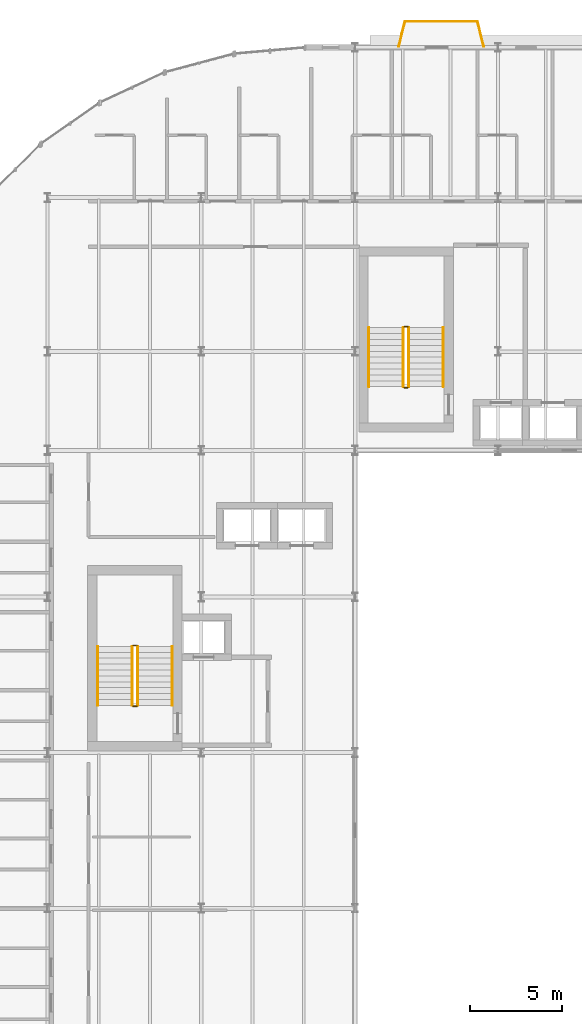
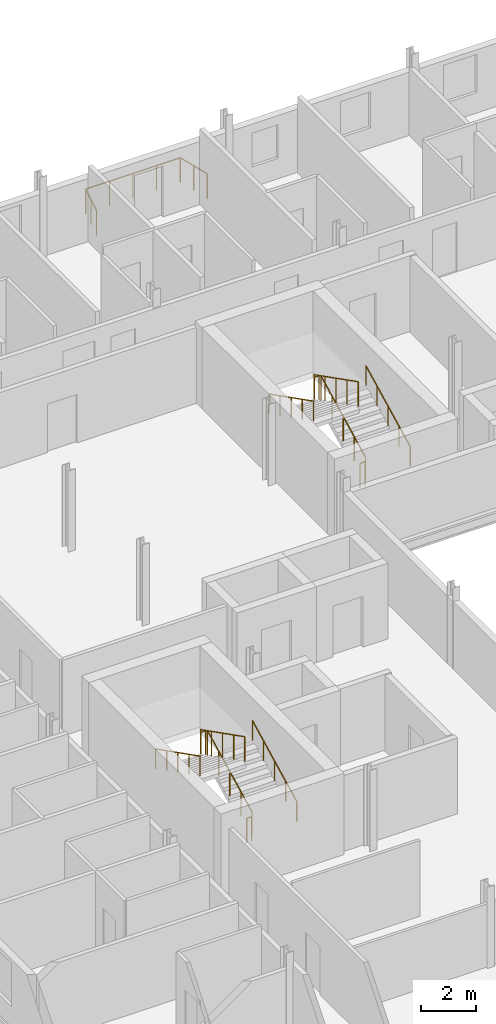
# One storey, part 33 of 36: 15 railings.
"""IFC4 building model written with IfcOpenShell, lengths in metres."""

import ifcopenshell
import ifcopenshell.guid

model = None  # the IFC model being written
_history = None  # IfcOwnerHistory: only IFC2X3 demands one
_inside = {}  # id of a spatial element -> (the spatial element, [elements in it])
_under = {}  # id of a project, library or spatial element -> (it, [spatial elements below it])
_declared = {}  # id of a project -> (the project, [libraries it declares])
_typed = {}  # id of a type object -> (the type object, [elements of that type])
_made_of = {}  # id of a material, layer set ... -> (it, [elements and type objects made of it])


def new_model(schema):
    """Start an empty IFC model of exactly this schema.

    Asked for "IFC4X3", IfcOpenShell would pick the latest addendum, in which some entities
    have other attributes; the version numbers below select the first issue.
    IFC2X3 requires an IfcOwnerHistory on every rooted entity: one is made here for all.
    """
    global model, _history
    if schema == "IFC4X3":
        model = ifcopenshell.file(schema_version=(4, 3, 0, 0))
    else:
        model = ifcopenshell.file(schema=schema)
    _inside.clear()
    _under.clear()
    _declared.clear()
    _typed.clear()
    _made_of.clear()
    _history = None
    if model.schema == "IFC2X3":
        org = make("IfcOrganization", Name="unknown")
        user = make(
            "IfcPersonAndOrganization",
            ThePerson=make("IfcPerson", FamilyName="unknown"),
            TheOrganization=org,
        )
        app = make(
            "IfcApplication",
            ApplicationDeveloper=org,
            Version="unknown",
            ApplicationFullName="unknown",
            ApplicationIdentifier="unknown",
        )
        _history = make(
            "IfcOwnerHistory",
            OwningUser=user,
            OwningApplication=app,
            ChangeAction="ADDED",
            CreationDate=0,
        )
    return model


def make(cls, **values):
    """One entity of the class cls with the attributes given. An attribute that is None is left unset."""
    return model.create_entity(
        cls, **{name: value for name, value in values.items() if value is not None}
    )


def rooted(cls, **values):
    """An entity with a GlobalId (a new one), such as an element, a storey or a relation."""
    return make(cls, GlobalId=ifcopenshell.guid.new(), OwnerHistory=_history, **values)


def si_unit(unit_type, name, prefix=None):
    """IfcSIUnit, for example si_unit("LENGTHUNIT", "METRE", prefix="MILLI")."""
    return make("IfcSIUnit", UnitType=unit_type, Prefix=prefix, Name=name)


def assignment(units):
    """IfcUnitAssignment: the units of a project."""
    return None if units is None else make("IfcUnitAssignment", Units=units)


def point(xyz):
    """IfcCartesianPoint."""
    return None if xyz is None else make("IfcCartesianPoint", Coordinates=xyz)


def direction(xyz):
    """IfcDirection."""
    return None if xyz is None else make("IfcDirection", DirectionRatios=xyz)


def frame(location, z_axis=None, x_axis=None):
    """IfcAxis2Placement3D, a coordinate frame: its origin and axes. An axis left out is left unset."""
    return make(
        "IfcAxis2Placement3D",
        Location=point(location),
        Axis=direction(z_axis),
        RefDirection=direction(x_axis),
    )


def frame_2d(location, x_axis=None):
    """IfcAxis2Placement2D, a coordinate frame in the plane: its origin and x axis."""
    return make(
        "IfcAxis2Placement2D", Location=point(location), RefDirection=direction(x_axis)
    )


def origin():
    """The frame at (0, 0, 0) with its axes left unset."""
    return frame((0.0, 0.0, 0.0))


def origin_2d():
    """The frame at (0, 0) in the plane with its x axis left unset."""
    return frame_2d((0.0, 0.0))


def place(relative_to, where):
    """IfcLocalPlacement: puts the frame where relative to a parent placement (None: the world)."""
    return make(
        "IfcLocalPlacement", PlacementRelTo=relative_to, RelativePlacement=where
    )


def context(
    kind, dimensions, precision=None, world=None, true_north=None, identifier=None
):
    """IfcGeometricRepresentationContext, for example the 3D "Model" context."""
    return make(
        "IfcGeometricRepresentationContext",
        ContextIdentifier=identifier,
        ContextType=kind,
        CoordinateSpaceDimension=dimensions,
        Precision=precision,
        WorldCoordinateSystem=world,
        TrueNorth=true_north,
    )


def subcontext(parent, identifier, kind, view, scale=None):
    """IfcGeometricRepresentationSubContext, for example "Body" below "Model"."""
    return make(
        "IfcGeometricRepresentationSubContext",
        ContextIdentifier=identifier,
        ContextType=kind,
        ParentContext=parent,
        TargetScale=scale,
        TargetView=view,
    )


def project(units=None, contexts=None):
    """IfcProject with its units and contexts."""
    return rooted(
        "IfcProject",
        Name="project",
        RepresentationContexts=contexts,
        UnitsInContext=assignment(units),
    )


def spatial(cls, under=None, at=None, **own):
    """A site, building, storey or space (cls), placed at a placement, below another one or the project."""
    s = rooted(cls, ObjectPlacement=at, **own)
    if under is not None:
        _under.setdefault(under.id(), (under, []))[1].append(s)
    return s


def profile(cls, at=None, kind="AREA", **sizes):
    """A parametric profile (cls). Its sizes go by their IFC names, for example OverallWidth=200.0."""
    return make(cls, ProfileType=kind, Position=at, **sizes)


def circle(**sizes):
    """IfcCircleProfileDef."""
    return profile("IfcCircleProfileDef", **sizes)


def extrude(swept, where, along, depth):
    """IfcExtrudedAreaSolid: the profile swept, set in the frame where, extruded along a direction by depth."""
    return make(
        "IfcExtrudedAreaSolid",
        SweptArea=swept,
        Position=where,
        ExtrudedDirection=direction(along),
        Depth=depth,
    )


def shape(context_of_items, identifier, shape_type, items):
    """IfcShapeRepresentation: the items that make up one representation, for example the "Body"."""
    return make(
        "IfcShapeRepresentation",
        ContextOfItems=context_of_items,
        RepresentationIdentifier=identifier,
        RepresentationType=shape_type,
        Items=items,
    )


def material(Name=None, Category=None):
    """IfcMaterial."""
    return make("IfcMaterial", Name=Name, Category=Category)


def made_of(thing, what):
    """Note that an element or type object is made of a material, layer set ...; save() writes the relation."""
    if what is not None:
        _made_of.setdefault(what.id(), (what, []))[1].append(thing)
    return thing


def type_object(cls, material=None, **own):
    """A type object (cls), such as IfcWallType, which elements share."""
    return made_of(rooted(cls, **own), material)


def element(
    cls,
    number,
    at=None,
    inside=None,
    cuts=None,
    type_object=None,
    material=None,
    context=None,
    identifier="Body",
    shape_type=None,
    held_by="IfcProductDefinitionShape",
    body=None,
    shapes=None,
    **own,
):
    """One element of the class cls, such as IfcWall. Its Tag is "e" and its number.

    at: its placement. inside: the storey or other place that contains it. cuts: it is an
    opening in that element (IfcRelVoidsElement). A single representation is given by context,
    identifier, shape_type and body (its items); several are given by shapes. held_by: the class
    of the entity that holds the representations. save() writes the other relations.
    """
    e = rooted(cls, Tag="e%d" % number, ObjectPlacement=at, **own)
    if body is not None:
        shapes = [shape(context, identifier, shape_type, body)]
    if shapes is not None:
        e.Representation = make(held_by, Representations=shapes)
    if inside is not None:
        _inside.setdefault(inside.id(), (inside, []))[1].append(e)
    if cuts is not None:
        rooted(
            "IfcRelVoidsElement", RelatingBuildingElement=cuts, RelatedOpeningElement=e
        )
    if type_object is not None:
        _typed.setdefault(type_object.id(), (type_object, []))[1].append(e)
    return made_of(e, material)


def aggregate(whole, parts):
    """IfcRelAggregates: a whole, such as a stair, and the parts it consists of."""
    return rooted("IfcRelAggregates", RelatingObject=whole, RelatedObjects=parts)


def save(model, path):
    """Write the relations noted so far, then the file.

    IfcRelAggregates (storeys below a building ...), IfcRelContainedInSpatialStructure (elements
    in a storey), IfcRelDefinesByType, IfcRelAssociatesMaterial and IfcRelDeclares: one each for
    every whole, place, type object, material and project.
    """
    for whole, parts in _under.values():
        aggregate(whole, parts)
    for where, things in _inside.values():
        rooted(
            "IfcRelContainedInSpatialStructure",
            RelatedElements=things,
            RelatingStructure=where,
        )
    for kind, things in _typed.values():
        rooted("IfcRelDefinesByType", RelatedObjects=things, RelatingType=kind)
    for what, things in _made_of.values():
        rooted("IfcRelAssociatesMaterial", RelatedObjects=things, RelatingMaterial=what)
    for by, libraries in _declared.values():
        rooted("IfcRelDeclares", RelatingContext=by, RelatedDefinitions=libraries)
    model.write(path)


model = new_model("IFC4")

# Units and contexts
model_context = context("Model", 3, precision=1e-05, world=origin(), true_north=direction((0.0, 1.0)))
body_context = subcontext(model_context, "Body", "Model", "MODEL_VIEW")
ifc_project = project(units=[si_unit("LENGTHUNIT", "METRE"), si_unit("AREAUNIT", "SQUARE_METRE"), si_unit("VOLUMEUNIT", "CUBIC_METRE"), si_unit("PLANEANGLEUNIT", "RADIAN"), si_unit("MASSUNIT", "GRAM", prefix="KILO")], contexts=[model_context])

# Site, building, storey
site_placement = place(None, origin())
site = spatial("IfcSite", under=ifc_project, at=site_placement, CompositionType="ELEMENT")
building_placement = place(site_placement, origin())
building = spatial("IfcBuilding", under=site, at=building_placement, Name="Sefraquen Railside Congress Hotel", CompositionType="ELEMENT")
storey_placement = place(building_placement, frame((0.0, 0.0, 28.199951171875)))
storey = spatial("IfcBuildingStorey", under=building, at=storey_placement, Name="L06", CompositionType="ELEMENT", Elevation=28.199951171875)

# Railings
ifc_material = material(Name="Patinated wrought architectural bronze", Category="metal")
railing_type_1 = type_object("IfcRailingType", Name="TRL-BAL-110", PredefinedType="BALUSTRADE", material=ifc_material)
railing_1_placement = place(storey_placement, frame((27.580078125, 118.050048828125, 0.0)))
element("IfcRailing", 1, at=railing_1_placement, inside=storey, type_object=railing_type_1, Name="Guest balcony Art Nouveau balustrade L06-01", PredefinedType="BALUSTRADE", context=body_context, shape_type="SweptSolid", body=[
    extrude(circle(Radius=0.02392578125, at=origin_2d()), frame((0.0, 0.0, 1.09619140625), z_axis=(0.240785102022, 0.970578453627, 0.0), x_axis=(-0.970578453627, 0.240785102022, 0.0)), (0.0, 0.0, 1.0), 1.411376953125),
    extrude(circle(Radius=0.02099609375, at=origin_2d()), origin(), (0.0, 0.0, 1.0), 1.072021484375),
    extrude(circle(Radius=0.02099609375, at=origin_2d()), frame((0.169921875, 0.68505859375, 0.0)), (0.0, 0.0, 1.0), 1.072021484375),
    extrude(circle(Radius=0.02099609375, at=origin_2d()), frame((0.33984375, 1.369873046875, 0.0)), (0.0, 0.0, 1.0), 1.072021484375),
])
railing_2_placement = place(storey_placement, frame((27.919921875, 119.419921875, 0.0)))
element("IfcRailing", 2, at=railing_2_placement, inside=storey, type_object=railing_type_1, Name="Guest balcony Art Nouveau balustrade L06-01", PredefinedType="BALUSTRADE", context=body_context, shape_type="SweptSolid", body=[
    extrude(circle(Radius=0.02392578125, at=origin_2d()), frame((0.0, 0.0, 1.09619140625), z_axis=(1.0, 0.0, 0.0), x_axis=(0.0, 1.0, 0.0)), (0.0, 0.0, 1.0), 3.9599609375),
    extrude(circle(Radius=0.02099609375, at=origin_2d()), origin(), (0.0, 0.0, 1.0), 1.072021484375),
    extrude(circle(Radius=0.02099609375, at=origin_2d()), frame((0.989990234375, 0.0, 0.0)), (0.0, 0.0, 1.0), 1.072021484375),
    extrude(circle(Radius=0.02099609375, at=origin_2d()), frame((1.97998046875, 0.0, 0.0)), (0.0, 0.0, 1.0), 1.072021484375),
    extrude(circle(Radius=0.02099609375, at=origin_2d()), frame((2.969970703125, 0.0, 0.0)), (0.0, 0.0, 1.0), 1.072021484375),
    extrude(circle(Radius=0.02099609375, at=origin_2d()), frame((3.9599609375, 0.0, 0.0)), (0.0, 0.0, 1.0), 1.072021484375),
])
railing_3_placement = place(storey_placement, frame((31.8798828125, 119.419921875, 0.0)))
element("IfcRailing", 3, at=railing_3_placement, inside=storey, type_object=railing_type_1, Name="Guest balcony Art Nouveau balustrade L06-01", PredefinedType="BALUSTRADE", context=body_context, shape_type="SweptSolid", body=[
    extrude(circle(Radius=0.02392578125, at=origin_2d()), frame((0.0, 0.0, 1.09619140625), z_axis=(0.240948040829, -0.970538016577, 0.0), x_axis=(0.970538016577, 0.240948040829, 0.0)), (0.0, 0.0, 1.0), 1.411376953125),
    extrude(circle(Radius=0.02099609375, at=origin_2d()), origin(), (0.0, 0.0, 1.0), 1.072021484375),
    extrude(circle(Radius=0.02099609375, at=origin_2d()), frame((0.169921875, -0.68505859375, 0.0)), (0.0, 0.0, 1.0), 1.072021484375),
    extrude(circle(Radius=0.02099609375, at=origin_2d()), frame((0.340087890625, -1.369873046875, 0.0)), (0.0, 0.0, 1.0), 1.072021484375),
])
railing_4_placement = place(storey_placement, frame((13.330078125, 82.080078125, 0.16357421875)))
element("IfcRailing", 4, at=railing_4_placement, inside=storey, type_object=railing_type_1, Name="L06 ST-H01 stair guard 1", PredefinedType="BALUSTRADE", context=body_context, shape_type="SweptSolid", body=[
    extrude(circle(Radius=0.02392578125, at=origin_2d()), frame((0.0, 0.0, 1.076171875), z_axis=(0.0, 0.891474443924, 0.453070983215), x_axis=(-1.0, 0.0, 0.0)), (0.0, 0.0, 1.0), 3.612060546875),
    extrude(circle(Radius=0.02099609375, at=origin_2d()), origin(), (0.0, 0.0, 1.0), 1.052001953125),
    extrude(circle(Radius=0.02099609375, at=origin_2d()), frame((0.0, 0.804931640625, 0.4091796875)), (0.0, 0.0, 1.0), 1.052001953125),
    extrude(circle(Radius=0.02099609375, at=origin_2d()), frame((0.0, 1.60986328125, 0.818359375)), (0.0, 0.0, 1.0), 1.052001953125),
    extrude(circle(Radius=0.02099609375, at=origin_2d()), frame((0.0, 2.4150390625, 1.227294921875)), (0.0, 0.0, 1.0), 1.052001953125),
    extrude(circle(Radius=0.02099609375, at=origin_2d()), frame((0.0, 3.219970703125, 1.636474609375)), (0.0, 0.0, 1.0), 1.052001953125),
])
railing_5_placement = place(storey_placement, frame((13.280029296875, 85.35009765625, 1.800048828125)))
element("IfcRailing", 5, at=railing_5_placement, inside=storey, type_object=railing_type_1, Name="L06 ST-H01 stair guard 2", PredefinedType="BALUSTRADE", context=body_context, shape_type="SweptSolid", body=[
    extrude(circle(Radius=0.02392578125, at=origin_2d()), frame((0.0, 0.0, 1.076171875), z_axis=(-1.0, 0.0, 0.0), x_axis=(0.0, -1.0, 0.0)), (0.0, 0.0, 1.0), 0.199951171875),
    extrude(circle(Radius=0.02099609375, at=origin_2d()), origin(), (0.0, 0.0, 1.0), 1.052001953125),
    extrude(circle(Radius=0.02099609375, at=origin_2d()), frame((-0.199951171875, 0.0, 0.0)), (0.0, 0.0, 1.0), 1.052001953125),
])
railing_6_placement = place(storey_placement, frame((13.030029296875, 85.300048828125, 1.963623046875)))
element("IfcRailing", 6, at=railing_6_placement, inside=storey, type_object=railing_type_1, Name="L06 ST-H01 stair guard 3", PredefinedType="BALUSTRADE", context=body_context, shape_type="SweptSolid", body=[
    extrude(circle(Radius=0.02392578125, at=origin_2d()), frame((0.0, 0.0, 1.076171875), z_axis=(0.0, -0.891474443924, 0.453070983215), x_axis=(1.0, 0.0, 0.0)), (0.0, 0.0, 1.0), 3.612060546875),
    extrude(circle(Radius=0.02099609375, at=origin_2d()), origin(), (0.0, 0.0, 1.0), 1.052001953125),
    extrude(circle(Radius=0.02099609375, at=origin_2d()), frame((0.0, -0.804931640625, 0.4091796875)), (0.0, 0.0, 1.0), 1.052001953125),
    extrude(circle(Radius=0.02099609375, at=origin_2d()), frame((0.0, -1.60986328125, 0.818359375)), (0.0, 0.0, 1.0), 1.052001953125),
    extrude(circle(Radius=0.02099609375, at=origin_2d()), frame((0.0, -2.4150390625, 1.227294921875)), (0.0, 0.0, 1.0), 1.052001953125),
    extrude(circle(Radius=0.02099609375, at=origin_2d()), frame((0.0, -3.219970703125, 1.636474609375)), (0.0, 0.0, 1.0), 1.052001953125),
])
railing_7_placement = place(storey_placement, frame((13.280029296875, 82.030029296875, 0.0)))
element("IfcRailing", 7, at=railing_7_placement, inside=storey, type_object=railing_type_1, Name="L06 ST-H01 stair guard 4", PredefinedType="BALUSTRADE", context=body_context, shape_type="SweptSolid", body=[
    extrude(circle(Radius=0.02392578125, at=origin_2d()), frame((0.0, 0.0, 1.076171875), z_axis=(-1.0, 0.0, 0.0), x_axis=(0.0, -1.0, 0.0)), (0.0, 0.0, 1.0), 0.199951171875),
    extrude(circle(Radius=0.02099609375, at=origin_2d()), origin(), (0.0, 0.0, 1.0), 1.052001953125),
    extrude(circle(Radius=0.02099609375, at=origin_2d()), frame((-0.199951171875, 0.0, 0.0)), (0.0, 0.0, 1.0), 1.052001953125),
])
railing_8_placement = place(storey_placement, frame((28.1298828125, 99.47998046875, 0.16357421875)))
element("IfcRailing", 8, at=railing_8_placement, inside=storey, type_object=railing_type_1, Name="L06 ST-H02 stair guard 1", PredefinedType="BALUSTRADE", context=body_context, shape_type="SweptSolid", body=[
    extrude(circle(Radius=0.02392578125, at=origin_2d()), frame((0.0, 0.0, 1.076171875), z_axis=(0.0, 0.891474443924, 0.453070983215), x_axis=(-1.0, 0.0, 0.0)), (0.0, 0.0, 1.0), 3.612060546875),
    extrude(circle(Radius=0.02099609375, at=origin_2d()), origin(), (0.0, 0.0, 1.0), 1.052001953125),
    extrude(circle(Radius=0.02099609375, at=origin_2d()), frame((0.0, 0.804931640625, 0.4091796875)), (0.0, 0.0, 1.0), 1.052001953125),
    extrude(circle(Radius=0.02099609375, at=origin_2d()), frame((0.0, 1.60986328125, 0.818359375)), (0.0, 0.0, 1.0), 1.052001953125),
    extrude(circle(Radius=0.02099609375, at=origin_2d()), frame((0.0, 2.4150390625, 1.227294921875)), (0.0, 0.0, 1.0), 1.052001953125),
    extrude(circle(Radius=0.02099609375, at=origin_2d()), frame((0.0, 3.219970703125, 1.636474609375)), (0.0, 0.0, 1.0), 1.052001953125),
])
railing_9_placement = place(storey_placement, frame((28.080078125, 102.75, 1.800048828125)))
element("IfcRailing", 9, at=railing_9_placement, inside=storey, type_object=railing_type_1, Name="L06 ST-H02 stair guard 2", PredefinedType="BALUSTRADE", context=body_context, shape_type="SweptSolid", body=[
    extrude(circle(Radius=0.02392578125, at=origin_2d()), frame((0.0, 0.0, 1.076171875), z_axis=(-1.0, 0.0, 0.0), x_axis=(0.0, -1.0, 0.0)), (0.0, 0.0, 1.0), 0.2001953125),
    extrude(circle(Radius=0.02099609375, at=origin_2d()), origin(), (0.0, 0.0, 1.0), 1.052001953125),
    extrude(circle(Radius=0.02099609375, at=origin_2d()), frame((-0.2001953125, 0.0, 0.0)), (0.0, 0.0, 1.0), 1.052001953125),
])
railing_10_placement = place(storey_placement, frame((27.830078125, 102.699951171875, 1.963623046875)))
element("IfcRailing", 10, at=railing_10_placement, inside=storey, type_object=railing_type_1, Name="L06 ST-H02 stair guard 3", PredefinedType="BALUSTRADE", context=body_context, shape_type="SweptSolid", body=[
    extrude(circle(Radius=0.02392578125, at=origin_2d()), frame((0.0, 0.0, 1.076171875), z_axis=(0.0, -0.891474443924, 0.453070983215), x_axis=(1.0, 0.0, 0.0)), (0.0, 0.0, 1.0), 3.612060546875),
    extrude(circle(Radius=0.02099609375, at=origin_2d()), origin(), (0.0, 0.0, 1.0), 1.052001953125),
    extrude(circle(Radius=0.02099609375, at=origin_2d()), frame((0.0, -0.804931640625, 0.4091796875)), (0.0, 0.0, 1.0), 1.052001953125),
    extrude(circle(Radius=0.02099609375, at=origin_2d()), frame((0.0, -1.60986328125, 0.818359375)), (0.0, 0.0, 1.0), 1.052001953125),
    extrude(circle(Radius=0.02099609375, at=origin_2d()), frame((0.0, -2.4150390625, 1.227294921875)), (0.0, 0.0, 1.0), 1.052001953125),
    extrude(circle(Radius=0.02099609375, at=origin_2d()), frame((0.0, -3.219970703125, 1.636474609375)), (0.0, 0.0, 1.0), 1.052001953125),
])
railing_11_placement = place(storey_placement, frame((28.080078125, 99.429931640625, 0.0)))
element("IfcRailing", 11, at=railing_11_placement, inside=storey, type_object=railing_type_1, Name="L06 ST-H02 stair guard 4", PredefinedType="BALUSTRADE", context=body_context, shape_type="SweptSolid", body=[
    extrude(circle(Radius=0.02392578125, at=origin_2d()), frame((0.0, 0.0, 1.076171875), z_axis=(-1.0, 0.0, 0.0), x_axis=(0.0, -1.0, 0.0)), (0.0, 0.0, 1.0), 0.2001953125),
    extrude(circle(Radius=0.02099609375, at=origin_2d()), origin(), (0.0, 0.0, 1.0), 1.052001953125),
    extrude(circle(Radius=0.02099609375, at=origin_2d()), frame((-0.2001953125, 0.0, 0.0)), (0.0, 0.0, 1.0), 1.052001953125),
])
railing_type_2 = type_object("IfcRailingType", Name="TRL-HR-090", PredefinedType="HANDRAIL", material=ifc_material)
railing_12_placement = place(storey_placement, frame((15.2099609375, 82.080078125, 0.16357421875)))
element("IfcRailing", 12, at=railing_12_placement, inside=storey, type_object=railing_type_2, Name="L06 ST-H01 stair handrail 1", PredefinedType="HANDRAIL", context=body_context, shape_type="SweptSolid", body=[
    extrude(circle(Radius=0.02392578125, at=origin_2d()), frame((0.0, 0.0, 0.8759765625), z_axis=(0.0, 0.891474443924, 0.453070983215), x_axis=(-1.0, 0.0, 0.0)), (0.0, 0.0, 1.0), 3.612060546875),
    extrude(circle(Radius=0.02099609375, at=origin_2d()), origin(), (0.0, 0.0, 1.0), 0.851806640625),
    extrude(circle(Radius=0.02099609375, at=origin_2d()), frame((0.0, 0.804931640625, 0.4091796875)), (0.0, 0.0, 1.0), 0.851806640625),
    extrude(circle(Radius=0.02099609375, at=origin_2d()), frame((0.0, 1.60986328125, 0.818359375)), (0.0, 0.0, 1.0), 0.851806640625),
    extrude(circle(Radius=0.02099609375, at=origin_2d()), frame((0.0, 2.4150390625, 1.227294921875)), (0.0, 0.0, 1.0), 0.851806640625),
    extrude(circle(Radius=0.02099609375, at=origin_2d()), frame((0.0, 3.219970703125, 1.636474609375)), (0.0, 0.0, 1.0), 0.851806640625),
])
railing_13_placement = place(storey_placement, frame((11.14990234375, 85.300048828125, 1.963623046875)))
element("IfcRailing", 13, at=railing_13_placement, inside=storey, type_object=railing_type_2, Name="L06 ST-H01 stair handrail 2", PredefinedType="HANDRAIL", context=body_context, shape_type="SweptSolid", body=[
    extrude(circle(Radius=0.02392578125, at=origin_2d()), frame((0.0, 0.0, 0.8759765625), z_axis=(0.0, -0.891474443924, 0.453070983215), x_axis=(1.0, 0.0, 0.0)), (0.0, 0.0, 1.0), 3.612060546875),
    extrude(circle(Radius=0.02099609375, at=origin_2d()), origin(), (0.0, 0.0, 1.0), 0.851806640625),
    extrude(circle(Radius=0.02099609375, at=origin_2d()), frame((0.0, -0.804931640625, 0.4091796875)), (0.0, 0.0, 1.0), 0.851806640625),
    extrude(circle(Radius=0.02099609375, at=origin_2d()), frame((0.0, -1.60986328125, 0.818359375)), (0.0, 0.0, 1.0), 0.851806640625),
    extrude(circle(Radius=0.02099609375, at=origin_2d()), frame((0.0, -2.4150390625, 1.227294921875)), (0.0, 0.0, 1.0), 0.851806640625),
    extrude(circle(Radius=0.02099609375, at=origin_2d()), frame((0.0, -3.219970703125, 1.636474609375)), (0.0, 0.0, 1.0), 0.851806640625),
])
railing_14_placement = place(storey_placement, frame((30.010009765625, 99.47998046875, 0.16357421875)))
element("IfcRailing", 14, at=railing_14_placement, inside=storey, type_object=railing_type_2, Name="L06 ST-H02 stair handrail 1", PredefinedType="HANDRAIL", context=body_context, shape_type="SweptSolid", body=[
    extrude(circle(Radius=0.02392578125, at=origin_2d()), frame((0.0, 0.0, 0.8759765625), z_axis=(0.0, 0.891474443924, 0.453070983215), x_axis=(-1.0, 0.0, 0.0)), (0.0, 0.0, 1.0), 3.612060546875),
    extrude(circle(Radius=0.02099609375, at=origin_2d()), origin(), (0.0, 0.0, 1.0), 0.851806640625),
    extrude(circle(Radius=0.02099609375, at=origin_2d()), frame((0.0, 0.804931640625, 0.4091796875)), (0.0, 0.0, 1.0), 0.851806640625),
    extrude(circle(Radius=0.02099609375, at=origin_2d()), frame((0.0, 1.60986328125, 0.818359375)), (0.0, 0.0, 1.0), 0.851806640625),
    extrude(circle(Radius=0.02099609375, at=origin_2d()), frame((0.0, 2.4150390625, 1.227294921875)), (0.0, 0.0, 1.0), 0.851806640625),
    extrude(circle(Radius=0.02099609375, at=origin_2d()), frame((0.0, 3.219970703125, 1.636474609375)), (0.0, 0.0, 1.0), 0.851806640625),
])
railing_15_placement = place(storey_placement, frame((25.949951171875, 102.699951171875, 1.963623046875)))
element("IfcRailing", 15, at=railing_15_placement, inside=storey, type_object=railing_type_2, Name="L06 ST-H02 stair handrail 2", PredefinedType="HANDRAIL", context=body_context, shape_type="SweptSolid", body=[
    extrude(circle(Radius=0.02392578125, at=origin_2d()), frame((0.0, 0.0, 0.8759765625), z_axis=(0.0, -0.891474443924, 0.453070983215), x_axis=(1.0, 0.0, 0.0)), (0.0, 0.0, 1.0), 3.612060546875),
    extrude(circle(Radius=0.02099609375, at=origin_2d()), origin(), (0.0, 0.0, 1.0), 0.851806640625),
    extrude(circle(Radius=0.02099609375, at=origin_2d()), frame((0.0, -0.804931640625, 0.4091796875)), (0.0, 0.0, 1.0), 0.851806640625),
    extrude(circle(Radius=0.02099609375, at=origin_2d()), frame((0.0, -1.60986328125, 0.818359375)), (0.0, 0.0, 1.0), 0.851806640625),
    extrude(circle(Radius=0.02099609375, at=origin_2d()), frame((0.0, -2.4150390625, 1.227294921875)), (0.0, 0.0, 1.0), 0.851806640625),
    extrude(circle(Radius=0.02099609375, at=origin_2d()), frame((0.0, -3.219970703125, 1.636474609375)), (0.0, 0.0, 1.0), 0.851806640625),
])

save(model, "model.ifc")
